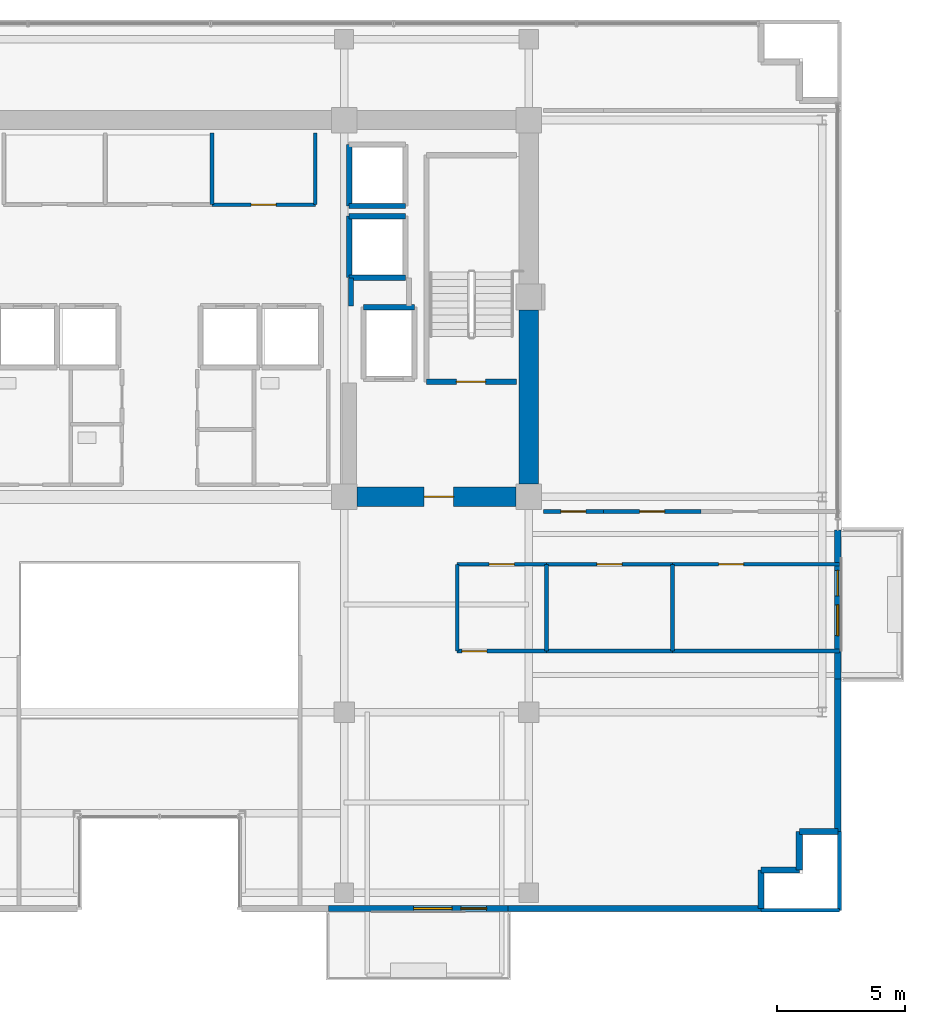
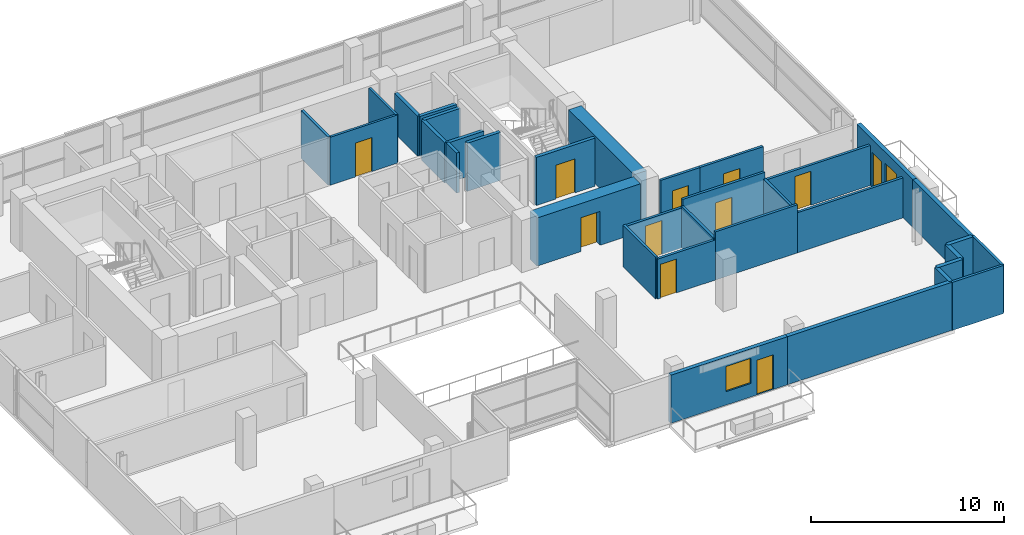
# One storey, part 17 of 22: 34 walls, 11 doors, 2 windows, 13 openings.
"""IFC4 building model written with IfcOpenShell, lengths in metres."""

from ifc_helpers import new_model, si_unit, direction, frame, frame_2d, origin, place, context, subcontext, project, spatial, rectangle, extrude, source, transform, mapped, material, layer, layer_set, type_object, element, fill, save


model = new_model("IFC4")

# Units and contexts
model_context = context("Model", 3, precision=1e-05, world=origin(), true_north=direction((0.0, 1.0)))
body_context = subcontext(model_context, "Body", "Model", "MODEL_VIEW")
ifc_project = project(units=[si_unit("LENGTHUNIT", "METRE"), si_unit("AREAUNIT", "SQUARE_METRE"), si_unit("VOLUMEUNIT", "CUBIC_METRE"), si_unit("PLANEANGLEUNIT", "RADIAN"), si_unit("MASSUNIT", "GRAM", prefix="KILO")], contexts=[model_context])

# Site, building, storey
site_placement = place(None, origin())
site = spatial("IfcSite", under=ifc_project, at=site_placement, CompositionType="ELEMENT")
building_placement = place(site_placement, origin())
building = spatial("IfcBuilding", under=site, at=building_placement, Name="Zarnakvel Exchange Tower", CompositionType="ELEMENT")
storey_placement = place(building_placement, frame((0.0, 0.0, 195.699951171875)))
storey = spatial("IfcBuildingStorey", under=building, at=storey_placement, Name="L55", CompositionType="ELEMENT", Elevation=195.699951171875)

# Wall
ifc_material_1 = material(Name="Concrete C60/75", Category="concrete")
ifc_layer_1 = layer(ifc_material_1, 0.75)
ifc_layer_set_1 = layer_set([ifc_layer_1], Name="Concrete C60/75")
wall_type_1 = type_object("IfcWallType", Name="CW-C3", PredefinedType="SHEAR", material=ifc_layer_set_1)
wall_1_placement = place(storey_placement, frame((14.39990234375, -0.699951171875, 0.0), z_axis=(0.0, 0.0, 1.0), x_axis=(0.0, 1.0, 0.0)))
element("IfcWall", 1, at=wall_1_placement, inside=storey, type_object=wall_type_1, Name="L55 Rear Core Shear Wall E1 (CW-C3)", PredefinedType="SHEAR", context=body_context, shape_type="SweptSolid", body=[
    extrude(rectangle(XDim=6.800048828125, YDim=0.75, at=frame_2d((3.39990234375, 0.0))), origin(), (0.0, 0.0, 1.0), 3.050048828125),
])

# Wall, opening, door
wall_2_placement = place(storey_placement, frame((13.89990234375, -1.199951171875, 0.0), z_axis=(0.0, 0.0, 1.0), x_axis=(-1.0, 0.0, 0.0)))
wall_2 = element("IfcWall", 2, at=wall_2_placement, inside=storey, type_object=wall_type_1, Name="L55 Rear Core Shear Wall SE (CW-C3)", PredefinedType="SHEAR", context=body_context, shape_type="SweptSolid", body=[
    extrude(rectangle(XDim=6.199951171875, YDim=0.75, at=frame_2d((3.10009765625, 0.0))), origin(), (0.0, 0.0, 1.0), 3.050048828125),
])
opening_1_placement = place(wall_2_placement, frame((2.425048828125, 0.0, 0.0)))
opening_1 = element("IfcOpeningElement", 3, at=opening_1_placement, cuts=wall_2, Name="Opening D-L55-04", PredefinedType="OPENING", context=body_context, shape_type="SweptSolid", body=[
    extrude(rectangle(XDim=1.14990234375, YDim=2.14990234375, at=frame_2d((0.574951171875, 1.074951171875))), frame((0.0, 0.385009765625, 0.0), z_axis=(0.0, -1.0, 0.0), x_axis=(1.0, 0.0, 0.0)), (0.0, 0.0, 1.0), 0.77001953125),
])
ifc_material_2 = material(Name="Painted Galvanised Steel S355", Category="steel")
door_type_1 = type_object("IfcDoorType", Name="DT-04", OperationType="NOTDEFINED", PredefinedType="DOOR", material=ifc_material_2)
shared_shape_1 = source(origin(), body_context, "Body", "SweptSolid", [
    extrude(rectangle(XDim=1.14990234375, YDim=2.14990234375, at=frame_2d((0.574951171875, 1.074951171875))), frame((0.0, 0.02490234375, 0.0), z_axis=(0.0, -1.0, 0.0), x_axis=(1.0, 0.0, 0.0)), (0.0, 0.0, 1.0), 0.050048828125),
])
door_1_placement = place(opening_1_placement, origin())
door_1 = element("IfcDoor", 4, at=door_1_placement, inside=storey, type_object=door_type_1, Name="L55 Firefighting Lobby East Door D-L55-04", OperationType="SINGLE_SWING_LEFT", OverallHeight=2.14990234375, OverallWidth=1.14990234375, PredefinedType="DOOR", context=body_context, shape_type="MappedRepresentation", body=[
    mapped(shared_shape_1, transform((0.0, 0.0, 0.0), x_axis=(1.0, 0.0, 0.0), y_axis=(0.0, 1.0, 0.0), z_axis=(0.0, 0.0, 1.0), scale=1.0)),
])
fill(opening_1, door_1)

# Wall, openings, door, window
ifc_material_3 = material(Name="Precast concrete C40/50", Category="concrete")
ifc_layer_2 = layer(ifc_material_3, 0.239990234375)
ifc_layer_set_2 = layer_set([ifc_layer_2], Name="Precast concrete C40/50")
wall_type_2 = type_object("IfcWallType", Name="EW-02", PredefinedType="SOLIDWALL", material=ifc_layer_set_2)
wall_3_placement = place(storey_placement, frame((13.60009765625, -17.260009765625, 0.0), z_axis=(0.0, 0.0, 1.0), x_axis=(-1.0, 0.0, 0.0)))
wall_3 = element("IfcWall", 5, at=wall_3_placement, inside=storey, type_object=wall_type_2, Name="L55 Exterior Precast Spandrel Wall EW-BAL-L55-SE (EW-02)", PredefinedType="SOLIDWALL", context=body_context, shape_type="SweptSolid", body=[
    extrude(rectangle(XDim=7.0, YDim=0.239990234375, at=frame_2d((3.5, 0.0))), origin(), (0.0, 0.0, 1.0), 3.050048828125),
])
opening_2_placement = place(wall_3_placement, frame((0.840087890625, 0.0, 0.0)))
opening_2 = element("IfcOpeningElement", 6, at=opening_2_placement, cuts=wall_3, Name="Opening BD-L55-02", PredefinedType="OPENING", context=body_context, shape_type="SweptSolid", body=[
    extrude(rectangle(XDim=1.0, YDim=2.199951171875, at=frame_2d((0.5, 1.10009765625))), frame((0.0, 0.1298828125, 0.0), z_axis=(0.0, -1.0, 0.0), x_axis=(1.0, 0.0, 0.0)), (0.0, 0.0, 1.0), 0.260009765625),
])
opening_3_placement = place(wall_3_placement, frame((2.18994140625, 0.0, 0.85009765625)))
opening_3 = element("IfcOpeningElement", 7, at=opening_3_placement, cuts=wall_3, Name="Opening WN-03", PredefinedType="OPENING", context=body_context, shape_type="SweptSolid", body=[
    extrude(rectangle(XDim=1.5, YDim=1.60009765625, at=frame_2d((0.75, 0.800048828125))), frame((0.0, 0.1298828125, 0.0), z_axis=(0.0, -1.0, 0.0), x_axis=(1.0, 0.0, 0.0)), (0.0, 0.0, 1.0), 0.260009765625),
])
ifc_material_4 = material(Name="Architectural Bronze Anodised Aluminium", Category="aluminium")
door_type_2 = type_object("IfcDoorType", Name="DT-09", OperationType="NOTDEFINED", PredefinedType="DOOR", material=ifc_material_4)
shared_shape_2 = source(origin(), body_context, "Body", "SweptSolid", [
    extrude(rectangle(XDim=1.0, YDim=2.199951171875, at=frame_2d((0.5, 1.10009765625))), frame((0.0, 0.02490234375, 0.0), z_axis=(0.0, -1.0, 0.0), x_axis=(1.0, 0.0, 0.0)), (0.0, 0.0, 1.0), 0.050048828125),
])
door_2_placement = place(opening_2_placement, origin())
door_2 = element("IfcDoor", 8, at=door_2_placement, inside=storey, type_object=door_type_2, Name="L55 Planted Loggia Balcony Door BD-L55-02", OperationType="SINGLE_SWING_RIGHT", OverallHeight=2.199951171875, OverallWidth=1.0, PredefinedType="DOOR", context=body_context, shape_type="MappedRepresentation", body=[
    mapped(shared_shape_2, transform((0.0, 0.0, 0.0), x_axis=(1.0, 0.0, 0.0), y_axis=(0.0, 1.0, 0.0), z_axis=(0.0, 0.0, 1.0), scale=1.0)),
])
fill(opening_2, door_2)
ifc_material_5 = material(Name="Double Low-E Laminated Vision Glass", Category="glass")
window_type_1 = type_object("IfcWindowType", Name="WN-03", PartitioningType="SINGLE_PANEL", PredefinedType="WINDOW", material=ifc_material_5)
shared_shape_3 = source(origin(), body_context, "Body", "SweptSolid", [
    extrude(rectangle(XDim=1.5, YDim=1.60009765625, at=frame_2d((0.75, 0.800048828125))), frame((0.0, 0.030029296875, 0.0), z_axis=(0.0, -1.0, 0.0), x_axis=(1.0, 0.0, 0.0)), (0.0, 0.0, 1.0), 0.06005859375),
])
window_1_placement = place(opening_3_placement, origin())
window_1 = element("IfcWindow", 9, at=window_1_placement, inside=storey, type_object=window_type_1, Name="L55 Loggia Daylight Window (WN-03)", OverallHeight=1.60009765625, OverallWidth=1.5, PartitioningType="SINGLE_PANEL", PredefinedType="WINDOW", context=body_context, shape_type="MappedRepresentation", body=[
    mapped(shared_shape_3, transform((0.0, 0.0, 0.0), x_axis=(1.0, 0.0, 0.0), y_axis=(0.0, 1.0, 0.0), z_axis=(0.0, 0.0, 1.0), scale=1.0)),
])
fill(opening_3, window_1)

wall_4_placement = place(storey_placement, frame((26.4599609375, -2.5, 0.0), z_axis=(0.0, 0.0, 1.0), x_axis=(0.0, -1.0, 0.0)))
wall_4 = element("IfcWall", 10, at=wall_4_placement, inside=storey, type_object=wall_type_2, Name="L55 Exterior Precast Spandrel Wall EW-BAL-L55-E (EW-02)", PredefinedType="SOLIDWALL", context=body_context, shape_type="SweptSolid", body=[
    extrude(rectangle(XDim=5.800048828125, YDim=0.239990234375, at=frame_2d((2.89990234375, 0.0))), origin(), (0.0, 0.0, 1.0), 3.050048828125),
])
opening_4_placement = place(wall_4_placement, frame((1.56591796875, 0.0, 0.0)))
opening_4 = element("IfcOpeningElement", 11, at=opening_4_placement, cuts=wall_4, Name="Opening BD-L55-03", PredefinedType="OPENING", context=body_context, shape_type="SweptSolid", body=[
    extrude(rectangle(XDim=1.0, YDim=2.199951171875, at=frame_2d((0.5, 1.10009765625))), frame((0.0, 0.1298828125, 0.0), z_axis=(0.0, -1.0, 0.0), x_axis=(1.0, 0.0, 0.0)), (0.0, 0.0, 1.0), 0.260009765625),
])
opening_5_placement = place(wall_4_placement, frame((2.916015625, 0.0, 0.85009765625)))
opening_5 = element("IfcOpeningElement", 12, at=opening_5_placement, cuts=wall_4, Name="Opening WN-04", PredefinedType="OPENING", context=body_context, shape_type="SweptSolid", body=[
    extrude(rectangle(XDim=1.199951171875, YDim=1.5, at=frame_2d((0.60009765625, 0.75))), frame((0.0, 0.1298828125, 0.0), z_axis=(0.0, -1.0, 0.0), x_axis=(1.0, 0.0, 0.0)), (0.0, 0.0, 1.0), 0.260009765625),
])
door_3_placement = place(opening_4_placement, origin())
door_3 = element("IfcDoor", 13, at=door_3_placement, inside=storey, type_object=door_type_2, Name="L55 Planted Loggia Balcony Door BD-L55-03", OperationType="SINGLE_SWING_LEFT", OverallHeight=2.199951171875, OverallWidth=1.0, PredefinedType="DOOR", context=body_context, shape_type="MappedRepresentation", body=[
    mapped(shared_shape_2, transform((0.0, 0.0, 0.0), x_axis=(1.0, 0.0, 0.0), y_axis=(0.0, 1.0, 0.0), z_axis=(0.0, 0.0, 1.0), scale=1.0)),
])
fill(opening_4, door_3)
window_type_2 = type_object("IfcWindowType", Name="WN-04", PartitioningType="SINGLE_PANEL", PredefinedType="WINDOW", material=ifc_material_5)
shared_shape_4 = source(origin(), body_context, "Body", "SweptSolid", [
    extrude(rectangle(XDim=1.199951171875, YDim=1.5, at=frame_2d((0.60009765625, 0.75))), frame((0.0, 0.030029296875, 0.0), z_axis=(0.0, -1.0, 0.0), x_axis=(1.0, 0.0, 0.0)), (0.0, 0.0, 1.0), 0.06005859375),
])
window_2_placement = place(opening_5_placement, origin())
window_2 = element("IfcWindow", 14, at=window_2_placement, inside=storey, type_object=window_type_2, Name="L55 Loggia Daylight Window (WN-04)", OverallHeight=1.5, OverallWidth=1.199951171875, PartitioningType="SINGLE_PANEL", PredefinedType="WINDOW", context=body_context, shape_type="MappedRepresentation", body=[
    mapped(shared_shape_4, transform((0.0, 0.0, 0.0), x_axis=(1.0, 0.0, 0.0), y_axis=(0.0, 1.0, 0.0), z_axis=(0.0, 0.0, 1.0), scale=1.0)),
])
fill(opening_5, window_2)

# Walls
wall_5_placement = place(storey_placement, frame((26.4599609375, -14.260009765625, 0.0), z_axis=(0.0, 0.0, 1.0), x_axis=(0.0, 1.0, 0.0)))
element("IfcWall", 15, at=wall_5_placement, inside=storey, type_object=wall_type_2, Name="L55 Exterior Precast Spandrel Wall EWC-L55-10 (EW-02)", PredefinedType="SOLIDWALL", context=body_context, shape_type="SweptSolid", body=[
    extrude(rectangle(XDim=5.9599609375, YDim=0.239990234375, at=frame_2d((2.97998046875, 0.0))), origin(), (0.0, 0.0, 1.0), 3.050048828125),
])
for number, where, z_axis, x_axis, name in (
    (16, (24.9599609375, -14.260009765625, 0.0), (0.0, 0.0, 1.0), (1.0, 0.0, 0.0), "L55 Exterior Precast Spandrel Wall EWC-L55-11 (EW-02)"),
    (17, (24.9599609375, -15.760009765625, 0.0), (0.0, 0.0, 1.0), (0.0, 1.0, 0.0), "L55 Exterior Precast Spandrel Wall EWC-L55-12 (EW-02)"),
    (18, (23.4599609375, -15.760009765625, 0.0), (0.0, 0.0, 1.0), (1.0, 0.0, 0.0), "L55 Exterior Precast Spandrel Wall EWC-L55-13 (EW-02)"),
    (19, (23.4599609375, -17.260009765625, 0.0), (0.0, 0.0, 1.0), (0.0, 1.0, 0.0), "L55 Exterior Precast Spandrel Wall EWC-L55-14 (EW-02)"),
):
    element("IfcWall", number, at=place(storey_placement, frame(where, z_axis=z_axis, x_axis=x_axis)), inside=storey, type_object=wall_type_2, Name=name, PredefinedType="SOLIDWALL", context=body_context, shape_type="SweptSolid", body=[
        extrude(rectangle(XDim=1.5, YDim=0.239990234375, at=frame_2d((0.75, 0.0))), origin(), (0.0, 0.0, 1.0), 3.050048828125),
    ])
wall_6_placement = place(storey_placement, frame((13.60009765625, -17.260009765625, 0.0), z_axis=(0.0, 0.0, 1.0), x_axis=(1.0, 0.0, 0.0)))
element("IfcWall", 20, at=wall_6_placement, inside=storey, type_object=wall_type_2, Name="L55 Exterior Precast Spandrel Wall EWC-L55-15 (EW-02)", PredefinedType="SOLIDWALL", context=body_context, shape_type="SweptSolid", body=[
    extrude(rectangle(XDim=9.85986328125, YDim=0.239990234375, at=frame_2d((4.929931640625, 0.0))), origin(), (0.0, 0.0, 1.0), 3.050048828125),
])
ifc_material_6 = material(Name="Fire-Rated Gypsum Stud Partition", Category="gypsum")
ifc_layer_3 = layer(ifc_material_6, 0.14990234375)
ifc_layer_set_3 = layer_set([ifc_layer_3], Name="Fire-Rated Gypsum Stud Partition")
wall_type_3 = type_object("IfcWallType", Name="PT-01", PredefinedType="PARTITIONING", material=ifc_layer_set_3)
wall_7_placement = place(storey_placement, frame((2.0400390625, 13.0, 0.0), z_axis=(0.0, 0.0, 1.0), x_axis=(0.0, -1.0, 0.0)))
element("IfcWall", 21, at=wall_7_placement, inside=storey, type_object=wall_type_3, Name="L55 Partition Wall PWALL-L55-015 (PT-01)", PredefinedType="PARTITIONING", context=body_context, shape_type="SweptSolid", body=[
    extrude(rectangle(XDim=2.800048828125, YDim=0.14990234375, at=frame_2d((1.39990234375, 0.0))), origin(), (0.0, 0.0, 1.0), 3.050048828125),
])

# Wall, opening, door
wall_8_placement = place(storey_placement, frame((15.09228515625, -7.219970703125, 0.0), z_axis=(0.0, 0.0, 1.0), x_axis=(-1.0, 0.0, 0.0)))
wall_8 = element("IfcWall", 22, at=wall_8_placement, inside=storey, type_object=wall_type_3, Name="L55 Partition Wall PWALL-L55-040 (PT-01)", PredefinedType="PARTITIONING", context=body_context, shape_type="SweptSolid", body=[
    extrude(rectangle(XDim=3.48095703125, YDim=0.14990234375, at=frame_2d((1.740478515625, 0.0))), origin(), (0.0, 0.0, 1.0), 2.5400390625),
])
opening_6_placement = place(wall_8_placement, frame((2.32080078125, 0.0, 0.0)))
opening_6 = element("IfcOpeningElement", 23, at=opening_6_placement, cuts=wall_8, Name="Opening D-L55-19", PredefinedType="OPENING", context=body_context, shape_type="SweptSolid", body=[
    extrude(rectangle(XDim=0.97998046875, YDim=2.14990234375, at=frame_2d((0.489990234375, 1.074951171875))), frame((0.0, 0.0849609375, 0.0), z_axis=(0.0, -1.0, 0.0), x_axis=(1.0, 0.0, 0.0)), (0.0, 0.0, 1.0), 0.169921875),
])
ifc_material_7 = material(Name="Timber Acoustic Veneer", Category="wood")
door_type_3 = type_object("IfcDoorType", Name="DT-05", OperationType="NOTDEFINED", PredefinedType="DOOR", material=ifc_material_7)
shared_shape_5 = source(origin(), body_context, "Body", "SweptSolid", [
    extrude(rectangle(XDim=0.97998046875, YDim=2.14990234375, at=frame_2d((0.489990234375, 1.074951171875))), frame((0.0, 0.02490234375, 0.0), z_axis=(0.0, -1.0, 0.0), x_axis=(1.0, 0.0, 0.0)), (0.0, 0.0, 1.0), 0.050048828125),
])
door_4_placement = place(opening_6_placement, origin())
door_4 = element("IfcDoor", 24, at=door_4_placement, inside=storey, type_object=door_type_3, Name="L55 Corporate Advisory Suite Door D-L55-19", OperationType="SINGLE_SWING_RIGHT", OverallHeight=2.14990234375, OverallWidth=0.97998046875, PredefinedType="DOOR", context=body_context, shape_type="MappedRepresentation", body=[
    mapped(shared_shape_5, transform((0.0, 0.0, 0.0), x_axis=(1.0, 0.0, 0.0), y_axis=(0.0, 1.0, 0.0), z_axis=(0.0, 0.0, 1.0), scale=1.0)),
])
fill(opening_6, door_4)

wall_9_placement = place(storey_placement, frame((11.611328125, -3.830078125, 0.0), z_axis=(0.0, 0.0, 1.0), x_axis=(1.0, 0.0, 0.0)))
wall_9 = element("IfcWall", 25, at=wall_9_placement, inside=storey, type_object=wall_type_3, Name="L55 Partition Wall PWALL-L55-041 (PT-01)", PredefinedType="PARTITIONING", context=body_context, shape_type="SweptSolid", body=[
    extrude(rectangle(XDim=3.48095703125, YDim=0.14990234375, at=frame_2d((1.740478515625, 0.0))), origin(), (0.0, 0.0, 1.0), 2.5400390625),
])
opening_7_placement = place(wall_9_placement, frame((1.25048828125, 0.0, 0.0)))
opening_7 = element("IfcOpeningElement", 26, at=opening_7_placement, cuts=wall_9, Name="Opening D-L55-16", PredefinedType="OPENING", context=body_context, shape_type="SweptSolid", body=[
    extrude(rectangle(XDim=0.97998046875, YDim=2.14990234375, at=frame_2d((0.489990234375, 1.074951171875))), frame((0.0, 0.0849609375, 0.0), z_axis=(0.0, -1.0, 0.0), x_axis=(1.0, 0.0, 0.0)), (0.0, 0.0, 1.0), 0.169921875),
])
door_5_placement = place(opening_7_placement, origin())
door_5 = element("IfcDoor", 27, at=door_5_placement, inside=storey, type_object=door_type_3, Name="L55 Conference Room Door D-L55-16", OperationType="SINGLE_SWING_LEFT", OverallHeight=2.14990234375, OverallWidth=0.97998046875, PredefinedType="DOOR", context=body_context, shape_type="MappedRepresentation", body=[
    mapped(shared_shape_5, transform((0.0, 0.0, 0.0), x_axis=(1.0, 0.0, 0.0), y_axis=(0.0, 1.0, 0.0), z_axis=(0.0, 0.0, 1.0), scale=1.0)),
])
fill(opening_7, door_5)

# Walls
for number, where, z_axis, x_axis, name in (
    (28, (11.611328125, -7.219970703125, 0.0), (0.0, 0.0, 1.0), (0.0, 1.0, 0.0), "L55 Partition Wall PWALL-L55-042 (PT-01)"),
    (29, (15.09228515625, -3.830078125, 0.0), (0.0, 0.0, 1.0), (0.0, -1.0, 0.0), "L55 Partition Wall PWALL-L55-043 (PT-01)"),
):
    element("IfcWall", number, at=place(storey_placement, frame(where, z_axis=z_axis, x_axis=x_axis)), inside=storey, type_object=wall_type_3, Name=name, PredefinedType="PARTITIONING", context=body_context, shape_type="SweptSolid", body=[
        extrude(rectangle(XDim=3.389892578125, YDim=0.14990234375, at=frame_2d((1.69482421875, 0.0))), origin(), (0.0, 0.0, 1.0), 2.64013671875),
    ])
wall_10_placement = place(storey_placement, frame((20.01708984375, -7.219970703125, 0.0), z_axis=(0.0, 0.0, 1.0), x_axis=(-1.0, 0.0, 0.0)))
element("IfcWall", 30, at=wall_10_placement, inside=storey, type_object=wall_type_3, Name="L55 Partition Wall PWALL-L55-044 (PT-01)", PredefinedType="PARTITIONING", context=body_context, shape_type="SweptSolid", body=[
    extrude(rectangle(XDim=4.9248046875, YDim=0.14990234375, at=frame_2d((2.46240234375, 0.0))), origin(), (0.0, 0.0, 1.0), 3.050048828125),
])

# Wall, opening, door
wall_11_placement = place(storey_placement, frame((15.09228515625, -3.830078125, 0.0), z_axis=(0.0, 0.0, 1.0), x_axis=(1.0, 0.0, 0.0)))
wall_11 = element("IfcWall", 31, at=wall_11_placement, inside=storey, type_object=wall_type_3, Name="L55 Partition Wall PWALL-L55-045 (PT-01)", PredefinedType="PARTITIONING", context=body_context, shape_type="SweptSolid", body=[
    extrude(rectangle(XDim=4.9248046875, YDim=0.14990234375, at=frame_2d((2.46240234375, 0.0))), origin(), (0.0, 0.0, 1.0), 3.050048828125),
])
opening_8_placement = place(wall_11_placement, frame((1.97265625, 0.0, 0.0)))
opening_8 = element("IfcOpeningElement", 32, at=opening_8_placement, cuts=wall_11, Name="Opening D-L55-17", PredefinedType="OPENING", context=body_context, shape_type="SweptSolid", body=[
    extrude(rectangle(XDim=0.97998046875, YDim=2.14990234375, at=frame_2d((0.489990234375, 1.074951171875))), frame((0.0, 0.0849609375, 0.0), z_axis=(0.0, -1.0, 0.0), x_axis=(1.0, 0.0, 0.0)), (0.0, 0.0, 1.0), 0.169921875),
])
door_6_placement = place(opening_8_placement, origin())
door_6 = element("IfcDoor", 33, at=door_6_placement, inside=storey, type_object=door_type_3, Name="L55 Executive Pantry Door D-L55-17", OperationType="SINGLE_SWING_RIGHT", OverallHeight=2.14990234375, OverallWidth=0.97998046875, PredefinedType="DOOR", context=body_context, shape_type="MappedRepresentation", body=[
    mapped(shared_shape_5, transform((0.0, 0.0, 0.0), x_axis=(1.0, 0.0, 0.0), y_axis=(0.0, 1.0, 0.0), z_axis=(0.0, 0.0, 1.0), scale=1.0)),
])
fill(opening_8, door_6)

# Walls
wall_12_placement = place(storey_placement, frame((20.01708984375, -3.830078125, 0.0), z_axis=(0.0, 0.0, 1.0), x_axis=(0.0, -1.0, 0.0)))
element("IfcWall", 34, at=wall_12_placement, inside=storey, type_object=wall_type_3, Name="L55 Partition Wall PWALL-L55-046 (PT-01)", PredefinedType="PARTITIONING", context=body_context, shape_type="SweptSolid", body=[
    extrude(rectangle(XDim=3.389892578125, YDim=0.14990234375, at=frame_2d((1.69482421875, 0.0))), origin(), (0.0, 0.0, 1.0), 2.64013671875),
])
wall_13_placement = place(storey_placement, frame((26.530029296875, -7.219970703125, 0.0), z_axis=(0.0, 0.0, 1.0), x_axis=(-1.0, 0.0, 0.0)))
element("IfcWall", 35, at=wall_13_placement, inside=storey, type_object=wall_type_3, Name="L55 Partition Wall PWALL-L55-047 (PT-01)", PredefinedType="PARTITIONING", context=body_context, shape_type="SweptSolid", body=[
    extrude(rectangle(XDim=6.512939453125, YDim=0.14990234375, at=frame_2d((3.25634765625, 0.0))), origin(), (0.0, 0.0, 1.0), 2.5400390625),
])

# Wall, opening, door
wall_14_placement = place(storey_placement, frame((20.01708984375, -3.830078125, 0.0), z_axis=(0.0, 0.0, 1.0), x_axis=(1.0, 0.0, 0.0)))
wall_14 = element("IfcWall", 36, at=wall_14_placement, inside=storey, type_object=wall_type_3, Name="L55 Partition Wall PWALL-L55-048 (PT-01)", PredefinedType="PARTITIONING", context=body_context, shape_type="SweptSolid", body=[
    extrude(rectangle(XDim=6.512939453125, YDim=0.14990234375, at=frame_2d((3.25634765625, 0.0))), origin(), (0.0, 0.0, 1.0), 2.5400390625),
])
opening_9_placement = place(wall_14_placement, frame((1.7919921875, 0.0, 0.0)))
opening_9 = element("IfcOpeningElement", 37, at=opening_9_placement, cuts=wall_14, Name="Opening D-L55-18", PredefinedType="OPENING", context=body_context, shape_type="SweptSolid", body=[
    extrude(rectangle(XDim=0.97998046875, YDim=2.14990234375, at=frame_2d((0.489990234375, 1.074951171875))), frame((0.0, 0.0849609375, 0.0), z_axis=(0.0, -1.0, 0.0), x_axis=(1.0, 0.0, 0.0)), (0.0, 0.0, 1.0), 0.169921875),
])
door_7_placement = place(opening_9_placement, origin())
door_7 = element("IfcDoor", 38, at=door_7_placement, inside=storey, type_object=door_type_3, Name="L55 Legal Records Office Door D-L55-18", OperationType="SINGLE_SWING_LEFT", OverallHeight=2.14990234375, OverallWidth=0.97998046875, PredefinedType="DOOR", context=body_context, shape_type="MappedRepresentation", body=[
    mapped(shared_shape_5, transform((0.0, 0.0, 0.0), x_axis=(1.0, 0.0, 0.0), y_axis=(0.0, 1.0, 0.0), z_axis=(0.0, 0.0, 1.0), scale=1.0)),
])
fill(opening_9, door_7)

# Walls
for number, where, z_axis, x_axis, name in (
    (39, (26.530029296875, -17.330078125, 0.0), (0.0, 0.0, 1.0), (-1.0, 0.0, 0.0), "L55 Partition Wall PWALL-L55-050 (PT-01)"),
    (40, (26.530029296875, -14.260009765625, 0.0), (0.0, 0.0, 1.0), (0.0, -1.0, 0.0), "L55 Partition Wall PWALL-L55-052 (PT-01)"),
):
    element("IfcWall", number, at=place(storey_placement, frame(where, z_axis=z_axis, x_axis=x_axis)), inside=storey, type_object=wall_type_3, Name=name, PredefinedType="PARTITIONING", context=body_context, shape_type="SweptSolid", body=[
        extrude(rectangle(XDim=3.070068359375, YDim=0.14990234375, at=frame_2d((1.53515625, 0.0))), origin(), (0.0, 0.0, 1.0), 3.050048828125),
    ])

# Wall, opening, door
wall_15_placement = place(storey_placement, frame((17.31689453125, -1.77001953125, 0.0), z_axis=(0.0, 0.0, 1.0), x_axis=(-1.0, 0.0, 0.0)))
wall_15 = element("IfcWall", 41, at=wall_15_placement, inside=storey, type_object=wall_type_3, Name="L55 Partition Wall PWALL-L55-062 (PT-01)", PredefinedType="PARTITIONING", context=body_context, shape_type="SweptSolid", body=[
    extrude(rectangle(XDim=2.346923828125, YDim=0.14990234375, at=frame_2d((1.17333984375, 0.0))), origin(), (0.0, 0.0, 1.0), 3.050048828125),
])
opening_10_placement = place(wall_15_placement, frame((0.683837890625, 0.0, 0.0)))
opening_10 = element("IfcOpeningElement", 42, at=opening_10_placement, cuts=wall_15, Name="Opening D-L55-22", PredefinedType="OPENING", context=body_context, shape_type="SweptSolid", body=[
    extrude(rectangle(XDim=0.97998046875, YDim=2.14990234375, at=frame_2d((0.489990234375, 1.074951171875))), frame((0.0, 0.0849609375, 0.0), z_axis=(0.0, -1.0, 0.0), x_axis=(1.0, 0.0, 0.0)), (0.0, 0.0, 1.0), 0.169921875),
])
door_8_placement = place(opening_10_placement, origin())
door_8 = element("IfcDoor", 43, at=door_8_placement, inside=storey, type_object=door_type_3, Name="L55 Executive Pantry Door D-L55-22", OperationType="SINGLE_SWING_LEFT", OverallHeight=2.14990234375, OverallWidth=0.97998046875, PredefinedType="DOOR", context=body_context, shape_type="MappedRepresentation", body=[
    mapped(shared_shape_5, transform((0.0, 0.0, 0.0), x_axis=(1.0, 0.0, 0.0), y_axis=(0.0, 1.0, 0.0), z_axis=(0.0, 0.0, 1.0), scale=1.0)),
])
fill(opening_10, door_8)

wall_16_placement = place(storey_placement, frame((21.12158203125, -1.77001953125, 0.0), z_axis=(0.0, 0.0, 1.0), x_axis=(-1.0, 0.0, 0.0)))
wall_16 = element("IfcWall", 44, at=wall_16_placement, inside=storey, type_object=wall_type_3, Name="L55 Partition Wall PWALL-L55-065 (PT-01)", PredefinedType="PARTITIONING", context=body_context, shape_type="SweptSolid", body=[
    extrude(rectangle(XDim=3.8046875, YDim=0.14990234375, at=frame_2d((1.90234375, 0.0))), origin(), (0.0, 0.0, 1.0), 3.050048828125),
])
opening_11_placement = place(wall_16_placement, frame((1.41259765625, 0.0, 0.0)))
opening_11 = element("IfcOpeningElement", 45, at=opening_11_placement, cuts=wall_16, Name="Opening D-L55-23", PredefinedType="OPENING", context=body_context, shape_type="SweptSolid", body=[
    extrude(rectangle(XDim=0.97998046875, YDim=2.14990234375, at=frame_2d((0.489990234375, 1.074951171875))), frame((0.0, 0.0849609375, 0.0), z_axis=(0.0, -1.0, 0.0), x_axis=(1.0, 0.0, 0.0)), (0.0, 0.0, 1.0), 0.169921875),
])
door_9_placement = place(opening_11_placement, origin())
door_9 = element("IfcDoor", 46, at=door_9_placement, inside=storey, type_object=door_type_3, Name="L55 Legal Records Office Door D-L55-23", OperationType="SINGLE_SWING_RIGHT", OverallHeight=2.14990234375, OverallWidth=0.97998046875, PredefinedType="DOOR", context=body_context, shape_type="MappedRepresentation", body=[
    mapped(shared_shape_5, transform((0.0, 0.0, 0.0), x_axis=(1.0, 0.0, 0.0), y_axis=(0.0, 1.0, 0.0), z_axis=(0.0, 0.0, 1.0), scale=1.0)),
])
fill(opening_11, door_9)

# Wall
ifc_layer_4 = layer(ifc_material_6, 0.179931640625)
ifc_layer_set_4 = layer_set([ifc_layer_4], Name="Fire-Rated Gypsum Stud Partition")
wall_type_4 = type_object("IfcWallType", Name="PT-02", PredefinedType="PARTITIONING", material=ifc_layer_set_4)
wall_17_placement = place(storey_placement, frame((7.469970703125, 6.239990234375, 0.0), z_axis=(0.0, 0.0, 1.0), x_axis=(0.0, 1.0, 0.0)))
element("IfcWall", 47, at=wall_17_placement, inside=storey, type_object=wall_type_4, Name="L55 Partition Wall PWALL-L55-009 (PT-02)", PredefinedType="PARTITIONING", context=body_context, shape_type="SweptSolid", body=[
    extrude(rectangle(XDim=1.090087890625, YDim=0.179931640625, at=frame_2d((0.544921875, 0.0))), origin(), (0.0, 0.0, 1.0), 2.5400390625),
])

# Wall, opening, door
ifc_material_8 = material(Name="Moisture-Resistant Tile-Faced Partition", Category="gypsum")
ifc_layer_5 = layer(ifc_material_8, 0.135009765625)
ifc_layer_set_5 = layer_set([ifc_layer_5], Name="Moisture-Resistant Tile-Faced Partition")
wall_type_5 = type_object("IfcWallType", Name="PT-03", PredefinedType="PARTITIONING", material=ifc_layer_set_5)
wall_18_placement = place(storey_placement, frame((6.080078125, 10.199951171875, 0.0), z_axis=(0.0, 0.0, 1.0), x_axis=(-1.0, 0.0, 0.0)))
wall_18 = element("IfcWall", 48, at=wall_18_placement, inside=storey, type_object=wall_type_5, Name="L55 Partition Wall PWALL-L55-016 (PT-03)", PredefinedType="PARTITIONING", context=body_context, shape_type="SweptSolid", body=[
    extrude(rectangle(XDim=4.0400390625, YDim=0.135009765625, at=frame_2d((2.02001953125, 0.0))), origin(), (0.0, 0.0, 1.0), 3.050048828125),
])
opening_12_placement = place(wall_18_placement, frame((1.530029296875, 0.0, 0.0)))
opening_12 = element("IfcOpeningElement", 49, at=opening_12_placement, cuts=wall_18, Name="Opening D-L55-07", PredefinedType="OPENING", context=body_context, shape_type="SweptSolid", body=[
    extrude(rectangle(XDim=0.97998046875, YDim=2.14990234375, at=frame_2d((0.489990234375, 1.074951171875))), frame((0.0, 0.077392578125, 0.0), z_axis=(0.0, -1.0, 0.0), x_axis=(1.0, 0.0, 0.0)), (0.0, 0.0, 1.0), 0.155029296875),
])
door_10_placement = place(opening_12_placement, origin())
door_10 = element("IfcDoor", 50, at=door_10_placement, inside=storey, type_object=door_type_3, Name="L55 Executive Tea Pantry Door D-L55-07", OperationType="SINGLE_SWING_RIGHT", OverallHeight=2.14990234375, OverallWidth=0.97998046875, PredefinedType="DOOR", context=body_context, shape_type="MappedRepresentation", body=[
    mapped(shared_shape_5, transform((0.0, 0.0, 0.0), x_axis=(1.0, 0.0, 0.0), y_axis=(0.0, 1.0, 0.0), z_axis=(0.0, 0.0, 1.0), scale=1.0)),
])
fill(opening_12, door_10)

# Walls
wall_19_placement = place(storey_placement, frame((6.080078125, 13.0, 0.0), z_axis=(0.0, 0.0, 1.0), x_axis=(0.0, -1.0, 0.0)))
element("IfcWall", 51, at=wall_19_placement, inside=storey, type_object=wall_type_5, Name="L55 Partition Wall PWALL-L55-017 (PT-03)", PredefinedType="PARTITIONING", context=body_context, shape_type="SweptSolid", body=[
    extrude(rectangle(XDim=2.800048828125, YDim=0.135009765625, at=frame_2d((1.39990234375, 0.0))), origin(), (0.0, 0.0, 1.0), 3.050048828125),
])
ifc_material_9 = material(Name="Concrete C40/50", Category="concrete")
ifc_layer_6 = layer(ifc_material_9, 0.199951171875)
ifc_layer_set_6 = layer_set([ifc_layer_6], Name="Concrete C40/50")
wall_type_6 = type_object("IfcWallType", Name="SW-01", PredefinedType="SOLIDWALL", material=ifc_layer_set_6)
wall_20_placement = place(storey_placement, frame((7.949951171875, 6.199951171875, 0.0), z_axis=(0.0, 0.0, 1.0), x_axis=(1.0, 0.0, 0.0)))
element("IfcWall", 52, at=wall_20_placement, inside=storey, type_object=wall_type_6, Name="L55 FL-02 Hoistway Wall North", PredefinedType="SOLIDWALL", context=body_context, shape_type="SweptSolid", body=[
    extrude(rectangle(XDim=2.0, YDim=0.199951171875, at=frame_2d((1.0, 0.0))), origin(), (0.0, 0.0, 1.0), 3.050048828125),
])
for number, where, z_axis, x_axis, name in (
    (53, (9.60009765625, 7.35009765625, 0.0), (0.0, 0.0, 1.0), (-1.0, 0.0, 0.0), "L55 PL-11 Hoistway Wall South"),
    (54, (7.39990234375, 9.75, 0.0), (0.0, 0.0, 1.0), (1.0, 0.0, 0.0), "L55 PL-11 Hoistway Wall North"),
):
    element("IfcWall", number, at=place(storey_placement, frame(where, z_axis=z_axis, x_axis=x_axis)), inside=storey, type_object=wall_type_6, Name=name, PredefinedType="SOLIDWALL", context=body_context, shape_type="SweptSolid", body=[
        extrude(rectangle(XDim=2.2001953125, YDim=0.199951171875, at=frame_2d((1.10009765625, 0.0))), origin(), (0.0, 0.0, 1.0), 2.5400390625),
    ])
wall_21_placement = place(storey_placement, frame((7.39990234375, 7.35009765625, 0.0), z_axis=(0.0, 0.0, 1.0), x_axis=(0.0, 1.0, 0.0)))
element("IfcWall", 55, at=wall_21_placement, inside=storey, type_object=wall_type_6, Name="L55 PL-11 Hoistway Wall West", PredefinedType="SOLIDWALL", context=body_context, shape_type="SweptSolid", body=[
    extrude(rectangle(XDim=2.39990234375, YDim=0.199951171875, at=frame_2d((1.199951171875, 0.0))), origin(), (0.0, 0.0, 1.0), 2.5400390625),
])
wall_22_placement = place(storey_placement, frame((9.60009765625, 10.14990234375, 0.0), z_axis=(0.0, 0.0, 1.0), x_axis=(-1.0, 0.0, 0.0)))
element("IfcWall", 56, at=wall_22_placement, inside=storey, type_object=wall_type_6, Name="L55 PL-12 Hoistway Wall South", PredefinedType="SOLIDWALL", context=body_context, shape_type="SweptSolid", body=[
    extrude(rectangle(XDim=2.2001953125, YDim=0.199951171875, at=frame_2d((1.10009765625, 0.0))), origin(), (0.0, 0.0, 1.0), 2.5400390625),
])
wall_23_placement = place(storey_placement, frame((7.39990234375, 10.14990234375, 0.0), z_axis=(0.0, 0.0, 1.0), x_axis=(0.0, 1.0, 0.0)))
element("IfcWall", 57, at=wall_23_placement, inside=storey, type_object=wall_type_6, Name="L55 PL-12 Hoistway Wall West", PredefinedType="SOLIDWALL", context=body_context, shape_type="SweptSolid", body=[
    extrude(rectangle(XDim=2.400146484375, YDim=0.199951171875, at=frame_2d((1.2001953125, 0.0))), origin(), (0.0, 0.0, 1.0), 2.5400390625),
])

# Wall, opening, door
ifc_layer_7 = layer(ifc_material_9, 0.199951171875)
ifc_layer_set_7 = layer_set([ifc_layer_7], Name="Concrete C40/50")
wall_type_7 = type_object("IfcWallType", Name="SW-02", PredefinedType="SOLIDWALL", material=ifc_layer_set_7)
wall_24_placement = place(storey_placement, frame((13.929931640625, 3.2900390625, 0.0), z_axis=(0.0, 0.0, 1.0), x_axis=(-1.0, 0.0, 0.0)))
wall_24 = element("IfcWall", 58, at=wall_24_placement, inside=storey, type_object=wall_type_7, Name="L55 Stairwell Core Wall PWALL-L55-004 (SW-02)", PredefinedType="SOLIDWALL", context=body_context, shape_type="SweptSolid", body=[
    extrude(rectangle(XDim=3.52001953125, YDim=0.199951171875, at=frame_2d((1.760009765625, 0.0))), origin(), (0.0, 0.0, 1.0), 3.050048828125),
])
opening_13_placement = place(wall_24_placement, frame((1.205078125, 0.0, 0.0)))
opening_13 = element("IfcOpeningElement", 59, at=opening_13_placement, cuts=wall_24, Name="Opening D-L55-02", PredefinedType="OPENING", context=body_context, shape_type="SweptSolid", body=[
    extrude(rectangle(XDim=1.14990234375, YDim=2.14990234375, at=frame_2d((0.574951171875, 1.074951171875))), frame((0.0, 0.10986328125, 0.0), z_axis=(0.0, -1.0, 0.0), x_axis=(1.0, 0.0, 0.0)), (0.0, 0.0, 1.0), 0.219970703125),
])
door_11_placement = place(opening_13_placement, origin())
door_11 = element("IfcDoor", 60, at=door_11_placement, inside=storey, type_object=door_type_1, Name="L55 Stairwell ST-02 Door D-L55-02", OperationType="SINGLE_SWING_LEFT", OverallHeight=2.14990234375, OverallWidth=1.14990234375, PredefinedType="DOOR", context=body_context, shape_type="MappedRepresentation", body=[
    mapped(shared_shape_1, transform((0.0, 0.0, 0.0), x_axis=(1.0, 0.0, 0.0), y_axis=(0.0, 1.0, 0.0), z_axis=(0.0, 0.0, 1.0), scale=1.0)),
])
fill(opening_13, door_11)

save(model, "model.ifc")
